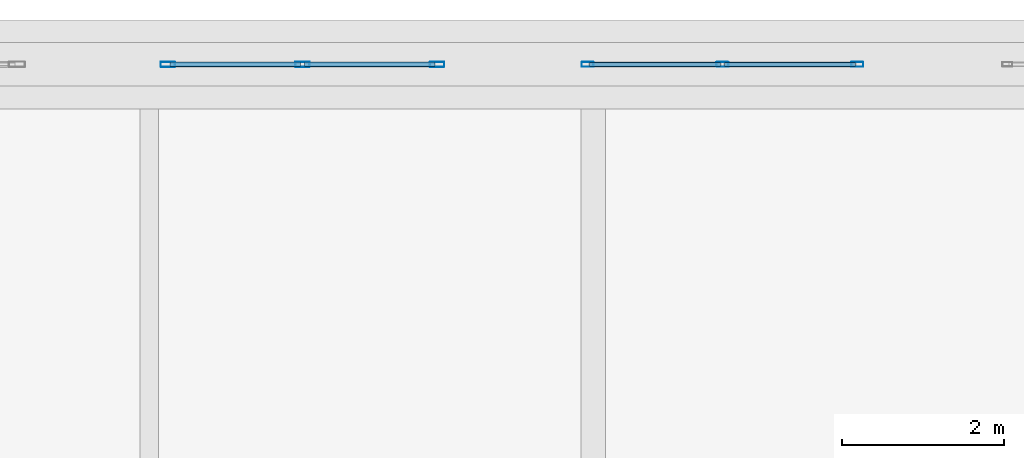
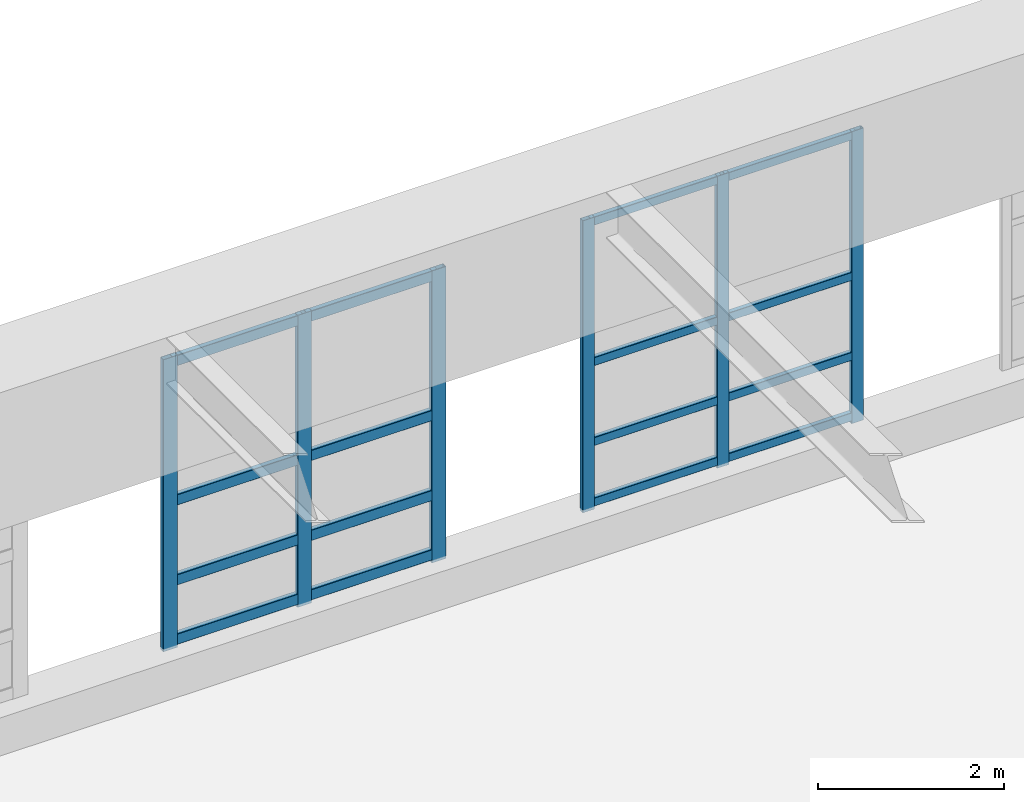
# One storey, part 144 of 197: 22 members, 2 elements without a shape of their own.
"""IFC4 building model written with IfcOpenShell, lengths in metres."""

from ifc_helpers import new_model, si_unit, derived_unit, direction, frame, origin, origin_2d, place, context, subcontext, project, spatial, hollow_rectangle, extrude, material, layer, layer_set, material_profile, profile_set, type_object, element, aggregate, save


model = new_model("IFC4")

# Units and contexts
model_context = context("Model", 3, precision=1e-05, world=origin(), true_north=direction((0.0, 1.0)))
body_context = subcontext(model_context, "Body", "Model", "MODEL_VIEW")
ifc_project = project(units=[si_unit("LENGTHUNIT", "METRE"), si_unit("AREAUNIT", "SQUARE_METRE"), si_unit("VOLUMEUNIT", "CUBIC_METRE"), si_unit("PLANEANGLEUNIT", "RADIAN"), si_unit("MASSUNIT", "GRAM", prefix="KILO"), derived_unit("THERMALTRANSMITTANCEUNIT", [(si_unit("POWERUNIT", "WATT"), 1), (si_unit("LENGTHUNIT", "METRE"), -2), (si_unit("THERMODYNAMICTEMPERATUREUNIT", "KELVIN"), -1)])], contexts=[model_context])

# Site, building, storey
site_placement = place(None, origin())
site = spatial("IfcSite", under=ifc_project, at=site_placement, CompositionType="ELEMENT")
building_placement = place(site_placement, origin())
building = spatial("IfcBuilding", under=site, at=building_placement, Name="Almenara Railside Exhibition Hall", CompositionType="ELEMENT")
storey_placement = place(building_placement, frame((0.0, 0.0, 5.39990234375)))
storey = spatial("IfcBuildingStorey", under=building, at=storey_placement, Name="L01", CompositionType="ELEMENT", Elevation=5.39990234375)

# Curtain wall, members
ifc_material_1 = material(Name="Bronze-anodised aluminium and low-E double glazing", Category="aluminium")
ifc_layer = layer(ifc_material_1, 0.179931640625, Name="Bronze-anodised aluminium and low-E double glazing")
ifc_layer_set = layer_set([ifc_layer], Name="Bronze-anodised aluminium and low-E double glazing")
curtain_wall_type = type_object("IfcCurtainWallType", Name="Scroll Gable Mid Curtain Wall 3400x4400", PredefinedType="NOTDEFINED", material=ifc_layer_set)
curtain_wall_1_placement = place(storey_placement, origin())
curtain_wall_1 = element("IfcCurtainWall", 1, at=curtain_wall_1_placement, inside=storey, type_object=curtain_wall_type, Name="Curtain wall CW-G3-042", PredefinedType="NOTDEFINED")
ifc_material_2 = material(Name="Bronze-anodised aluminium", Category="aluminium")
ifc_material_profile_1 = material_profile(ifc_material_2, hollow_rectangle(XDim=0.06005859375, YDim=0.14990234375, WallThickness=0.00341796875, InnerFilletRadius=0.00341796875, OuterFilletRadius=0.007080078125, at=origin_2d()), Name="ALU-MUL 60x150x3.5")
ifc_profile_set_1 = profile_set([ifc_material_profile_1], Name="Bronze-anodised aluminium")
member_type_1 = type_object("IfcMemberType", Name="Curtain Wall Mullion 60x150x3.5", PredefinedType="MULLION", material=ifc_profile_set_1)
member_1_placement = place(storey_placement, frame((44.429931640625, 132.0, 0.465087890625), z_axis=(0.0, 0.0, 1.0), x_axis=(0.0, 1.0, 0.0)))
member_1 = element("IfcMember", 2, at=member_1_placement, type_object=member_type_1, Name="CW-G3-042 mullion 1", PredefinedType="MULLION", context=body_context, shape_type="SweptSolid", body=[
    extrude(hollow_rectangle(XDim=0.06005859375, YDim=0.14990234375, WallThickness=0.00341796875, InnerFilletRadius=0.00341796875, OuterFilletRadius=0.007080078125, at=origin_2d()), origin(), (0.0, 0.0, 1.0), 3.8349609375),
])
member_2_placement = place(storey_placement, frame((46.10009765625, 132.0, 0.465087890625), z_axis=(0.0, 0.0, 1.0), x_axis=(0.0, 1.0, 0.0)))
member_2 = element("IfcMember", 3, at=member_2_placement, type_object=member_type_1, Name="CW-G3-042 mullion 2", PredefinedType="MULLION", context=body_context, shape_type="SweptSolid", body=[
    extrude(hollow_rectangle(XDim=0.06005859375, YDim=0.14990234375, WallThickness=0.00341796875, InnerFilletRadius=0.00341796875, OuterFilletRadius=0.007080078125, at=origin_2d()), origin(), (0.0, 0.0, 1.0), 3.8349609375),
])
member_3_placement = place(storey_placement, frame((47.77001953125, 132.0, 0.465087890625), z_axis=(0.0, 0.0, 1.0), x_axis=(0.0, 1.0, 0.0)))
member_3 = element("IfcMember", 4, at=member_3_placement, type_object=member_type_1, Name="CW-G3-042 mullion 3", PredefinedType="MULLION", context=body_context, shape_type="SweptSolid", body=[
    extrude(hollow_rectangle(XDim=0.06005859375, YDim=0.14990234375, WallThickness=0.00341796875, InnerFilletRadius=0.00341796875, OuterFilletRadius=0.007080078125, at=origin_2d()), origin(), (0.0, 0.0, 1.0), 3.8349609375),
])

curtain_wall_2_placement = place(storey_placement, origin())
curtain_wall_2 = element("IfcCurtainWall", 5, at=curtain_wall_2_placement, inside=storey, type_object=curtain_wall_type, Name="Curtain wall CW-G3-041", PredefinedType="NOTDEFINED")
ifc_material_profile_2 = material_profile(ifc_material_2, hollow_rectangle(XDim=0.06494140625, YDim=0.179931640625, WallThickness=0.00390625, InnerFilletRadius=0.00390625, OuterFilletRadius=0.008056640625, at=origin_2d()), Name="ALU-MUL 65x180x4")
ifc_profile_set_2 = profile_set([ifc_material_profile_2], Name="Bronze-anodised aluminium")
member_type_2 = type_object("IfcMemberType", Name="Curtain Wall Mullion 65x180x4", PredefinedType="MULLION", material=ifc_profile_set_2)
member_4_placement = place(storey_placement, frame((39.232421875, 132.0, 0.465087890625), z_axis=(0.0, 0.0, 1.0), x_axis=(0.0, 1.0, 0.0)))
member_4 = element("IfcMember", 6, at=member_4_placement, type_object=member_type_2, Name="CW-G3-041 mullion 1", PredefinedType="MULLION", context=body_context, shape_type="SweptSolid", body=[
    extrude(hollow_rectangle(XDim=0.06494140625, YDim=0.179931640625, WallThickness=0.00390625, InnerFilletRadius=0.00390625, OuterFilletRadius=0.008056640625, at=origin_2d()), origin(), (0.0, 0.0, 1.0), 3.8349609375),
])
member_5_placement = place(storey_placement, frame((40.89990234375, 132.0, 0.465087890625), z_axis=(0.0, 0.0, 1.0), x_axis=(0.0, 1.0, 0.0)))
member_5 = element("IfcMember", 7, at=member_5_placement, type_object=member_type_2, Name="CW-G3-041 mullion 2", PredefinedType="MULLION", context=body_context, shape_type="SweptSolid", body=[
    extrude(hollow_rectangle(XDim=0.06494140625, YDim=0.179931640625, WallThickness=0.00390625, InnerFilletRadius=0.00390625, OuterFilletRadius=0.008056640625, at=origin_2d()), origin(), (0.0, 0.0, 1.0), 3.8349609375),
])
member_6_placement = place(storey_placement, frame((42.5673828125, 132.0, 0.465087890625), z_axis=(0.0, 0.0, 1.0), x_axis=(0.0, 1.0, 0.0)))
member_6 = element("IfcMember", 8, at=member_6_placement, type_object=member_type_2, Name="CW-G3-041 mullion 3", PredefinedType="MULLION", context=body_context, shape_type="SweptSolid", body=[
    extrude(hollow_rectangle(XDim=0.06494140625, YDim=0.179931640625, WallThickness=0.00390625, InnerFilletRadius=0.00390625, OuterFilletRadius=0.008056640625, at=origin_2d()), origin(), (0.0, 0.0, 1.0), 3.8349609375),
])

# Member
ifc_material_profile_3 = material_profile(ifc_material_2, hollow_rectangle(XDim=0.06005859375, YDim=0.110107421875, WallThickness=0.0029296875, InnerFilletRadius=0.0029296875, OuterFilletRadius=0.006103515625, at=origin_2d()), Name="ALU-TRN 60x110x3")
ifc_profile_set_3 = profile_set([ifc_material_profile_3], Name="Bronze-anodised aluminium")
member_type_3 = type_object("IfcMemberType", Name="Curtain Wall Transom 60x110x3", PredefinedType="USERDEFINED", material=ifc_profile_set_3)
member_7_placement = place(storey_placement, frame((44.451904296875, 132.0, 0.55517578125), z_axis=(1.0, 0.0, 0.0), x_axis=(0.0, 1.0, 0.0)))
member_7 = element("IfcMember", 9, at=member_7_placement, type_object=member_type_3, Name="CW-G3-042 transom 1.1", ObjectType="TRANSOM", PredefinedType="USERDEFINED", context=body_context, shape_type="SweptSolid", body=[
    extrude(hollow_rectangle(XDim=0.06005859375, YDim=0.110107421875, WallThickness=0.0029296875, InnerFilletRadius=0.0029296875, OuterFilletRadius=0.006103515625, at=origin_2d()), origin(), (0.0, 0.0, 1.0), 1.6259765625),
])

member_8_placement = place(storey_placement, frame((44.451904296875, 132.0, 1.35009765625), z_axis=(1.0, 0.0, 0.0), x_axis=(0.0, 1.0, 0.0)))
member_8 = element("IfcMember", 10, at=member_8_placement, type_object=member_type_3, Name="CW-G3-042 transom 1.2", ObjectType="TRANSOM", PredefinedType="USERDEFINED", context=body_context, shape_type="SweptSolid", body=[
    extrude(hollow_rectangle(XDim=0.06005859375, YDim=0.110107421875, WallThickness=0.0029296875, InnerFilletRadius=0.0029296875, OuterFilletRadius=0.006103515625, at=origin_2d()), origin(), (0.0, 0.0, 1.0), 1.6259765625),
])

member_9_placement = place(storey_placement, frame((44.451904296875, 132.0, 2.400146484375), z_axis=(1.0, 0.0, 0.0), x_axis=(0.0, 1.0, 0.0)))
member_9 = element("IfcMember", 11, at=member_9_placement, type_object=member_type_3, Name="CW-G3-042 transom 1.3", ObjectType="TRANSOM", PredefinedType="USERDEFINED", context=body_context, shape_type="SweptSolid", body=[
    extrude(hollow_rectangle(XDim=0.06005859375, YDim=0.110107421875, WallThickness=0.0029296875, InnerFilletRadius=0.0029296875, OuterFilletRadius=0.006103515625, at=origin_2d()), origin(), (0.0, 0.0, 1.0), 1.6259765625),
])

member_10_placement = place(storey_placement, frame((44.451904296875, 132.0, 4.2451171875), z_axis=(1.0, 0.0, 0.0), x_axis=(0.0, 1.0, 0.0)))
member_10 = element("IfcMember", 12, at=member_10_placement, type_object=member_type_3, Name="CW-G3-042 transom 1.4", ObjectType="TRANSOM", PredefinedType="USERDEFINED", context=body_context, shape_type="SweptSolid", body=[
    extrude(hollow_rectangle(XDim=0.06005859375, YDim=0.110107421875, WallThickness=0.0029296875, InnerFilletRadius=0.0029296875, OuterFilletRadius=0.006103515625, at=origin_2d()), origin(), (0.0, 0.0, 1.0), 1.6259765625),
])

member_11_placement = place(storey_placement, frame((46.1220703125, 132.0, 0.55517578125), z_axis=(1.0, 0.0, 0.0), x_axis=(0.0, 1.0, 0.0)))
member_11 = element("IfcMember", 13, at=member_11_placement, type_object=member_type_3, Name="CW-G3-042 transom 2.1", ObjectType="TRANSOM", PredefinedType="USERDEFINED", context=body_context, shape_type="SweptSolid", body=[
    extrude(hollow_rectangle(XDim=0.06005859375, YDim=0.110107421875, WallThickness=0.0029296875, InnerFilletRadius=0.0029296875, OuterFilletRadius=0.006103515625, at=origin_2d()), origin(), (0.0, 0.0, 1.0), 1.6259765625),
])

member_12_placement = place(storey_placement, frame((46.1220703125, 132.0, 1.35009765625), z_axis=(1.0, 0.0, 0.0), x_axis=(0.0, 1.0, 0.0)))
member_12 = element("IfcMember", 14, at=member_12_placement, type_object=member_type_3, Name="CW-G3-042 transom 2.2", ObjectType="TRANSOM", PredefinedType="USERDEFINED", context=body_context, shape_type="SweptSolid", body=[
    extrude(hollow_rectangle(XDim=0.06005859375, YDim=0.110107421875, WallThickness=0.0029296875, InnerFilletRadius=0.0029296875, OuterFilletRadius=0.006103515625, at=origin_2d()), origin(), (0.0, 0.0, 1.0), 1.6259765625),
])

member_13_placement = place(storey_placement, frame((46.1220703125, 132.0, 2.400146484375), z_axis=(1.0, 0.0, 0.0), x_axis=(0.0, 1.0, 0.0)))
member_13 = element("IfcMember", 15, at=member_13_placement, type_object=member_type_3, Name="CW-G3-042 transom 2.3", ObjectType="TRANSOM", PredefinedType="USERDEFINED", context=body_context, shape_type="SweptSolid", body=[
    extrude(hollow_rectangle(XDim=0.06005859375, YDim=0.110107421875, WallThickness=0.0029296875, InnerFilletRadius=0.0029296875, OuterFilletRadius=0.006103515625, at=origin_2d()), origin(), (0.0, 0.0, 1.0), 1.6259765625),
])

member_14_placement = place(storey_placement, frame((46.1220703125, 132.0, 4.2451171875), z_axis=(1.0, 0.0, 0.0), x_axis=(0.0, 1.0, 0.0)))
member_14 = element("IfcMember", 16, at=member_14_placement, type_object=member_type_3, Name="CW-G3-042 transom 2.4", ObjectType="TRANSOM", PredefinedType="USERDEFINED", context=body_context, shape_type="SweptSolid", body=[
    extrude(hollow_rectangle(XDim=0.06005859375, YDim=0.110107421875, WallThickness=0.0029296875, InnerFilletRadius=0.0029296875, OuterFilletRadius=0.006103515625, at=origin_2d()), origin(), (0.0, 0.0, 1.0), 1.6259765625),
])

aggregate(curtain_wall_1, [member_1, member_2, member_3, member_7, member_8, member_9, member_10, member_11, member_12, member_13, member_14])

ifc_material_profile_4 = material_profile(ifc_material_2, hollow_rectangle(XDim=0.06494140625, YDim=0.139892578125, WallThickness=0.00341796875, InnerFilletRadius=0.00341796875, OuterFilletRadius=0.007080078125, at=origin_2d()), Name="ALU-TRN 65x140x3.5")
ifc_profile_set_4 = profile_set([ifc_material_profile_4], Name="Bronze-anodised aluminium")
member_type_4 = type_object("IfcMemberType", Name="Curtain Wall Transom 65x140x3.5", PredefinedType="USERDEFINED", material=ifc_profile_set_4)
member_15_placement = place(storey_placement, frame((39.257080078125, 132.0, 0.570068359375), z_axis=(1.0, 0.0, 0.0), x_axis=(0.0, 1.0, 0.0)))
member_15 = element("IfcMember", 17, at=member_15_placement, type_object=member_type_4, Name="CW-G3-041 transom 1.1", ObjectType="TRANSOM", PredefinedType="USERDEFINED", context=body_context, shape_type="SweptSolid", body=[
    extrude(hollow_rectangle(XDim=0.06494140625, YDim=0.139892578125, WallThickness=0.00341796875, InnerFilletRadius=0.00341796875, OuterFilletRadius=0.007080078125, at=origin_2d()), origin(), (0.0, 0.0, 1.0), 1.618408203125),
])

member_16_placement = place(storey_placement, frame((39.257080078125, 132.0, 1.35009765625), z_axis=(1.0, 0.0, 0.0), x_axis=(0.0, 1.0, 0.0)))
member_16 = element("IfcMember", 18, at=member_16_placement, type_object=member_type_4, Name="CW-G3-041 transom 1.2", ObjectType="TRANSOM", PredefinedType="USERDEFINED", context=body_context, shape_type="SweptSolid", body=[
    extrude(hollow_rectangle(XDim=0.06494140625, YDim=0.139892578125, WallThickness=0.00341796875, InnerFilletRadius=0.00341796875, OuterFilletRadius=0.007080078125, at=origin_2d()), origin(), (0.0, 0.0, 1.0), 1.618408203125),
])

member_17_placement = place(storey_placement, frame((39.257080078125, 132.0, 2.400146484375), z_axis=(1.0, 0.0, 0.0), x_axis=(0.0, 1.0, 0.0)))
member_17 = element("IfcMember", 19, at=member_17_placement, type_object=member_type_4, Name="CW-G3-041 transom 1.3", ObjectType="TRANSOM", PredefinedType="USERDEFINED", context=body_context, shape_type="SweptSolid", body=[
    extrude(hollow_rectangle(XDim=0.06494140625, YDim=0.139892578125, WallThickness=0.00341796875, InnerFilletRadius=0.00341796875, OuterFilletRadius=0.007080078125, at=origin_2d()), origin(), (0.0, 0.0, 1.0), 1.618408203125),
])

member_18_placement = place(storey_placement, frame((39.257080078125, 132.0, 4.22998046875), z_axis=(1.0, 0.0, 0.0), x_axis=(0.0, 1.0, 0.0)))
member_18 = element("IfcMember", 20, at=member_18_placement, type_object=member_type_4, Name="CW-G3-041 transom 1.4", ObjectType="TRANSOM", PredefinedType="USERDEFINED", context=body_context, shape_type="SweptSolid", body=[
    extrude(hollow_rectangle(XDim=0.06494140625, YDim=0.139892578125, WallThickness=0.00341796875, InnerFilletRadius=0.00341796875, OuterFilletRadius=0.007080078125, at=origin_2d()), origin(), (0.0, 0.0, 1.0), 1.618408203125),
])

member_19_placement = place(storey_placement, frame((40.924560546875, 132.0, 0.570068359375), z_axis=(1.0, 0.0, 0.0), x_axis=(0.0, 1.0, 0.0)))
member_19 = element("IfcMember", 21, at=member_19_placement, type_object=member_type_4, Name="CW-G3-041 transom 2.1", ObjectType="TRANSOM", PredefinedType="USERDEFINED", context=body_context, shape_type="SweptSolid", body=[
    extrude(hollow_rectangle(XDim=0.06494140625, YDim=0.139892578125, WallThickness=0.00341796875, InnerFilletRadius=0.00341796875, OuterFilletRadius=0.007080078125, at=origin_2d()), origin(), (0.0, 0.0, 1.0), 1.618408203125),
])

member_20_placement = place(storey_placement, frame((40.924560546875, 132.0, 1.35009765625), z_axis=(1.0, 0.0, 0.0), x_axis=(0.0, 1.0, 0.0)))
member_20 = element("IfcMember", 22, at=member_20_placement, type_object=member_type_4, Name="CW-G3-041 transom 2.2", ObjectType="TRANSOM", PredefinedType="USERDEFINED", context=body_context, shape_type="SweptSolid", body=[
    extrude(hollow_rectangle(XDim=0.06494140625, YDim=0.139892578125, WallThickness=0.00341796875, InnerFilletRadius=0.00341796875, OuterFilletRadius=0.007080078125, at=origin_2d()), origin(), (0.0, 0.0, 1.0), 1.618408203125),
])

member_21_placement = place(storey_placement, frame((40.924560546875, 132.0, 2.400146484375), z_axis=(1.0, 0.0, 0.0), x_axis=(0.0, 1.0, 0.0)))
member_21 = element("IfcMember", 23, at=member_21_placement, type_object=member_type_4, Name="CW-G3-041 transom 2.3", ObjectType="TRANSOM", PredefinedType="USERDEFINED", context=body_context, shape_type="SweptSolid", body=[
    extrude(hollow_rectangle(XDim=0.06494140625, YDim=0.139892578125, WallThickness=0.00341796875, InnerFilletRadius=0.00341796875, OuterFilletRadius=0.007080078125, at=origin_2d()), origin(), (0.0, 0.0, 1.0), 1.618408203125),
])

member_22_placement = place(storey_placement, frame((40.924560546875, 132.0, 4.22998046875), z_axis=(1.0, 0.0, 0.0), x_axis=(0.0, 1.0, 0.0)))
member_22 = element("IfcMember", 24, at=member_22_placement, type_object=member_type_4, Name="CW-G3-041 transom 2.4", ObjectType="TRANSOM", PredefinedType="USERDEFINED", context=body_context, shape_type="SweptSolid", body=[
    extrude(hollow_rectangle(XDim=0.06494140625, YDim=0.139892578125, WallThickness=0.00341796875, InnerFilletRadius=0.00341796875, OuterFilletRadius=0.007080078125, at=origin_2d()), origin(), (0.0, 0.0, 1.0), 1.618408203125),
])

aggregate(curtain_wall_2, [member_4, member_5, member_6, member_15, member_16, member_17, member_18, member_19, member_20, member_21, member_22])

save(model, "model.ifc")
